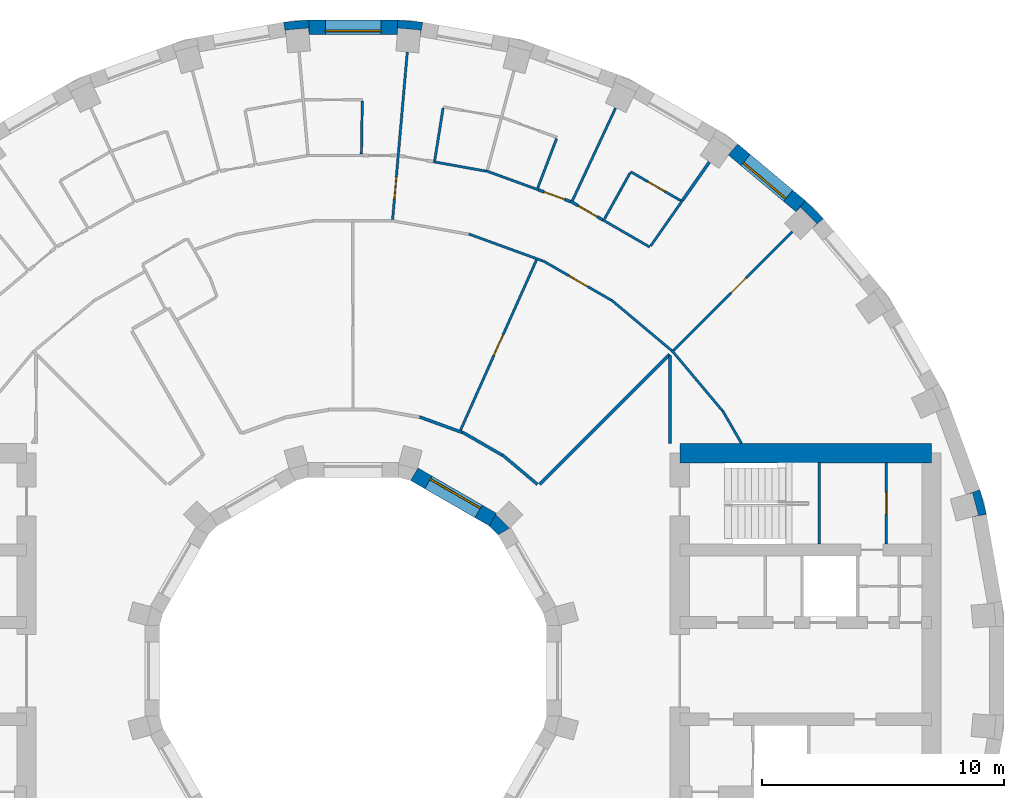
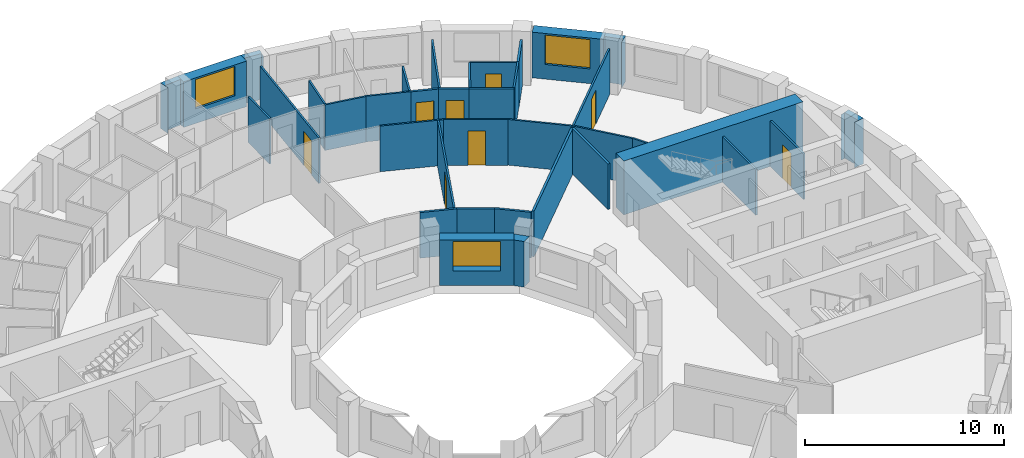
# One storey, part 10 of 12: 37 walls, 8 doors, 3 windows, 11 openings.
"""IFC4 building model written with IfcOpenShell, lengths in metres."""

from ifc_helpers import new_model, si_unit, direction, frame, frame_2d, origin, place, context, subcontext, project, spatial, polyline, rectangle, outline, extrude, material, layer, layer_set, type_object, element, fill, save


model = new_model("IFC4")

# Units and contexts
model_context = context("Model", 3, precision=1e-05, world=origin(), true_north=direction((0.0, 1.0)))
body_context = subcontext(model_context, "Body", "Model", "MODEL_VIEW")
ifc_project = project(units=[si_unit("LENGTHUNIT", "METRE"), si_unit("AREAUNIT", "SQUARE_METRE"), si_unit("VOLUMEUNIT", "CUBIC_METRE"), si_unit("PLANEANGLEUNIT", "RADIAN"), si_unit("MASSUNIT", "GRAM", prefix="KILO")], contexts=[model_context])

# Site, building, storey
site_placement = place(None, origin())
site = spatial("IfcSite", under=ifc_project, at=site_placement, CompositionType="ELEMENT")
building_placement = place(site_placement, origin())
building = spatial("IfcBuilding", under=site, at=building_placement, Name="Saqina Gate Tower", CompositionType="ELEMENT")
storey_placement = place(building_placement, frame((0.0, 0.0, 111.699951171875)))
storey = spatial("IfcBuildingStorey", under=building, at=storey_placement, Name="L31", CompositionType="ELEMENT", Elevation=111.699951171875)

# Walls
ifc_material_1 = material(Name="Brick masonry (buff)", Category="masonry")
wall_type_1 = type_object("IfcWallType", Name="BRICK PIER COPING BUFF", PredefinedType="SOLIDWALL", material=ifc_material_1)
wall_1_placement = place(storey_placement, origin())
element("IfcWall", 1, at=wall_1_placement, inside=storey, type_object=wall_type_1, Name="Pier cap L31 column 2", PredefinedType="SOLIDWALL", context=body_context, shape_type="SweptSolid", body=[
    extrude(outline(polyline([(26.171875, 6.466796875), (25.89892578125, 7.485595703125), (25.335205078125, 7.2802734375), (25.5947265625, 7.349853515625), (25.8408203125, 6.43212890625), (25.5810546875, 6.36279296875), (26.171875, 6.466796875)])), origin(), (0.0, 0.0, 1.0), 2.800048828125),
])
wall_2_placement = place(storey_placement, origin())
element("IfcWall", 2, at=wall_2_placement, inside=storey, type_object=wall_type_1, Name="Pier cap L31 column 5", PredefinedType="SOLIDWALL", context=body_context, shape_type="SweptSolid", body=[
    extrude(outline(polyline([(19.43212890625, 18.686279296875), (18.686279296875, 19.43212890625), (18.30078125, 18.972412109375), (18.49072265625, 19.16259765625), (19.16259765625, 18.49072265625), (18.972412109375, 18.30078125), (19.43212890625, 18.686279296875)])), origin(), (0.0, 0.0, 1.0), 2.800048828125),
])
wall_3_placement = place(storey_placement, origin())
element("IfcWall", 3, at=wall_3_placement, inside=storey, type_object=wall_type_1, Name="Pier cap L31 column 9", PredefinedType="SOLIDWALL", context=body_context, shape_type="SweptSolid", body=[
    extrude(outline(polyline([(2.87451171875, 26.805419921875), (1.823974609375, 26.897216796875), (1.823974609375, 26.29736328125), (1.847412109375, 26.565185546875), (2.793701171875, 26.482421875), (2.770263671875, 26.214599609375), (2.87451171875, 26.805419921875)])), origin(), (0.0, 0.0, 1.0), 2.800048828125),
])
wall_4_placement = place(storey_placement, origin())
element("IfcWall", 4, at=wall_4_placement, inside=storey, type_object=wall_type_1, Name="Pier cap L31 column 10", PredefinedType="SOLIDWALL", context=body_context, shape_type="SweptSolid", body=[
    extrude(outline(polyline([(-2.87451171875, 26.805419921875), (-2.770263671875, 26.214599609375), (-2.793701171875, 26.482421875), (-1.847412109375, 26.565185546875), (-1.823974609375, 26.29736328125), (-1.823974609375, 26.897216796875), (-2.87451171875, 26.805419921875)])), origin(), (0.0, 0.0, 1.0), 2.800048828125),
])

# Wall, opening, door
ifc_material_2 = material(Name="Gypsum board on steel studs", Category="steel")
ifc_layer_1 = layer(ifc_material_2, 0.10009765625)
ifc_layer_set_1 = layer_set([ifc_layer_1], Name="CORE PARTITION")
wall_type_2 = type_object("IfcWallType", Name="CORE PARTITION", PredefinedType="PARTITIONING", material=ifc_layer_set_1)
wall_5_placement = place(storey_placement, frame((22.037109375, 5.25, 0.0), z_axis=(0.0, 0.0, 1.0), x_axis=(0.0, 1.0, 0.0)))
wall_5 = element("IfcWall", 5, at=wall_5_placement, inside=storey, type_object=wall_type_2, Name="L31-CP-E11", PredefinedType="PARTITIONING", context=body_context, shape_type="SweptSolid", body=[
    extrude(rectangle(XDim=3.35009765625, YDim=0.10009765625, at=frame_2d((1.675048828125, 0.0))), origin(), (0.0, 0.0, 1.0), 2.800048828125),
])
opening_1_placement = place(wall_5_placement, frame((1.22509765625, 0.0, 0.0)))
opening_1 = element("IfcOpeningElement", 6, at=opening_1_placement, cuts=wall_5, Name="Opening G09-D98", PredefinedType="OPENING", context=body_context, shape_type="SweptSolid", body=[
    extrude(rectangle(XDim=0.89990234375, YDim=2.10009765625, at=frame_2d((0.449951171875, 1.050048828125))), frame((0.0, 0.06201171875, 0.0), z_axis=(0.0, -1.0, 0.0), x_axis=(1.0, 0.0, 0.0)), (0.0, 0.0, 1.0), 0.1240234375),
])
ifc_material_3 = material(Name="Steel-framed fire door leaf, EI 60", Category="steel")
door_type_1 = type_object("IfcDoorType", Name="SERVICE ROOM DOOR 900", OperationType="SINGLE_SWING_LEFT", PredefinedType="DOOR", material=ifc_material_3)
door_1_placement = place(opening_1_placement, origin())
door_1 = element("IfcDoor", 7, at=door_1_placement, inside=storey, type_object=door_type_1, Name="L31-CD-E09", OperationType="SINGLE_SWING_RIGHT", OverallHeight=2.10009765625, OverallWidth=0.89990234375, PredefinedType="DOOR", context=body_context, shape_type="SweptSolid", body=[
    extrude(rectangle(XDim=0.89990234375, YDim=2.10009765625, at=frame_2d((0.449951171875, 1.050048828125))), frame((0.0, 0.02490234375, 0.0), z_axis=(0.0, -1.0, 0.0), x_axis=(1.0, 0.0, 0.0)), (0.0, 0.0, 1.0), 0.050048828125),
])
fill(opening_1, door_1)

# Wall, opening, window
ifc_material_4 = material(Name="Brick masonry (buff)", Category="masonry")
ifc_layer_2 = layer(ifc_material_4, 0.60009765625)
ifc_layer_set_2 = layer_set([ifc_layer_2], Name="FW-BRICK-BUFF")
wall_type_3 = type_object("IfcWallType", Name="FW-BRICK-BUFF", PredefinedType="SOLIDWALL", material=ifc_layer_set_2)
wall_6_placement = place(storey_placement, frame((18.49365234375, 19.202392578125, 0.0), z_axis=(0.0, 0.0, 1.0), x_axis=(-0.766055462616, 0.642774476932, 0.0)))
wall_6 = element("IfcWall", 8, at=wall_6_placement, inside=storey, type_object=wall_type_3, Name="Facade wall L31 facet 5", PredefinedType="SOLIDWALL", context=body_context, shape_type="SweptSolid", body=[
    extrude(rectangle(XDim=3.647705078125, YDim=0.60009765625, at=frame_2d((1.82373046875, 0.0))), origin(), (0.0, 0.0, 1.0), 2.800048828125),
])
opening_2_placement = place(wall_6_placement, frame((0.673828125, 0.0, 0.89990234375)))
opening_2 = element("IfcOpeningElement", 9, at=opening_2_placement, cuts=wall_6, Name="Opening G09-W03", PredefinedType="OPENING", context=body_context, shape_type="SweptSolid", body=[
    extrude(rectangle(XDim=2.300048828125, YDim=1.800048828125, at=frame_2d((1.14990234375, 0.89990234375))), frame((0.0, 0.31201171875, 0.0), z_axis=(0.0, -1.0, 0.0), x_axis=(1.0, 0.0, 0.0)), (0.0, 0.0, 1.0), 0.6240234375),
])
ifc_material_5 = material(Name="Aluminium glazing", Category="aluminium")
window_type_1 = type_object("IfcWindowType", Name="WN-B", PartitioningType="SINGLE_PANEL", PredefinedType="WINDOW", material=ifc_material_5)
window_1_placement = place(opening_2_placement, origin())
window_1 = element("IfcWindow", 10, at=window_1_placement, inside=storey, type_object=window_type_1, Name="Window L31 facet 5", OverallHeight=1.800048828125, OverallWidth=2.300048828125, PartitioningType="SINGLE_PANEL", PredefinedType="WINDOW", context=body_context, shape_type="SweptSolid", body=[
    extrude(rectangle(XDim=2.300048828125, YDim=1.800048828125, at=frame_2d((1.14990234375, 0.89990234375))), frame((0.0, 0.179931640625, 0.0), z_axis=(0.0, -1.0, 0.0), x_axis=(1.0, 0.0, 0.0)), (0.0, 0.0, 1.0), 0.06005859375),
])
fill(opening_2, window_1)

wall_7_placement = place(storey_placement, frame((1.823974609375, 26.59716796875, 0.0), z_axis=(0.0, 0.0, 1.0), x_axis=(-1.0, 0.0, 0.0)))
wall_7 = element("IfcWall", 11, at=wall_7_placement, inside=storey, type_object=wall_type_3, Name="Facade wall L31 facet 9", PredefinedType="SOLIDWALL", context=body_context, shape_type="SweptSolid", body=[
    extrude(rectangle(XDim=3.64794921875, YDim=0.60009765625, at=frame_2d((1.823974609375, 0.0))), origin(), (0.0, 0.0, 1.0), 2.800048828125),
])
opening_3_placement = place(wall_7_placement, frame((0.673828125, 0.0, 0.89990234375)))
opening_3 = element("IfcOpeningElement", 12, at=opening_3_placement, cuts=wall_7, Name="Opening G09-W07", PredefinedType="OPENING", context=body_context, shape_type="SweptSolid", body=[
    extrude(rectangle(XDim=2.300048828125, YDim=1.800048828125, at=frame_2d((1.14990234375, 0.89990234375))), frame((0.0, 0.31201171875, 0.0), z_axis=(0.0, -1.0, 0.0), x_axis=(1.0, 0.0, 0.0)), (0.0, 0.0, 1.0), 0.6240234375),
])
window_2_placement = place(opening_3_placement, origin())
window_2 = element("IfcWindow", 13, at=window_2_placement, inside=storey, type_object=window_type_1, Name="Window L31 facet 9", OverallHeight=1.800048828125, OverallWidth=2.300048828125, PartitioningType="SINGLE_PANEL", PredefinedType="WINDOW", context=body_context, shape_type="SweptSolid", body=[
    extrude(rectangle(XDim=2.300048828125, YDim=1.800048828125, at=frame_2d((1.14990234375, 0.89990234375))), frame((0.0, 0.179931640625, 0.0), z_axis=(0.0, -1.0, 0.0), x_axis=(1.0, 0.0, 0.0)), (0.0, 0.0, 1.0), 0.06005859375),
])
fill(opening_3, window_2)

ifc_material_6 = material(Name="Glazed ceramic tile", Category="ceramic")
ifc_layer_3 = layer(ifc_material_6, 0.60009765625)
ifc_layer_set_3 = layer_set([ifc_layer_3], Name="IW-TILE")
wall_type_4 = type_object("IfcWallType", Name="IW-TILE", PredefinedType="SOLIDWALL", material=ifc_layer_set_3)
wall_8_placement = place(storey_placement, frame((5.772705078125, 6.251220703125, 0.0), z_axis=(0.0, 0.0, 1.0), x_axis=(-0.86604563398, 0.499964958637, 0.0)))
wall_8 = element("IfcWall", 14, at=wall_8_placement, inside=storey, type_object=wall_type_4, Name="Well wall L31 facet 2", PredefinedType="SOLIDWALL", context=body_context, shape_type="SweptSolid", body=[
    extrude(rectangle(XDim=3.747314453125, YDim=0.60009765625, at=frame_2d((1.87353515625, 0.0))), origin(), (0.0, 0.0, 1.0), 2.800048828125),
])
opening_4_placement = place(wall_8_placement, frame((0.673583984375, 0.0, 0.89990234375)))
opening_4 = element("IfcOpeningElement", 15, at=opening_4_placement, cuts=wall_8, Name="Opening G09-W27", PredefinedType="OPENING", context=body_context, shape_type="SweptSolid", body=[
    extrude(rectangle(XDim=2.39990234375, YDim=1.800048828125, at=frame_2d((1.199951171875, 0.89990234375))), frame((0.0, 0.31201171875, 0.0), z_axis=(0.0, -1.0, 0.0), x_axis=(1.0, 0.0, 0.0)), (0.0, 0.0, 1.0), 0.6240234375),
])
ifc_material_7 = material(Name="Aluminium glazing", Category="aluminium")
window_type_2 = type_object("IfcWindowType", Name="WN-W", PartitioningType="SINGLE_PANEL", PredefinedType="WINDOW", material=ifc_material_7)
window_3_placement = place(opening_4_placement, origin())
window_3 = element("IfcWindow", 16, at=window_3_placement, inside=storey, type_object=window_type_2, Name="Well window L31 facet 2", OverallHeight=1.800048828125, OverallWidth=2.39990234375, PartitioningType="SINGLE_PANEL", PredefinedType="WINDOW", context=body_context, shape_type="SweptSolid", body=[
    extrude(rectangle(XDim=2.39990234375, YDim=1.800048828125, at=frame_2d((1.199951171875, 0.89990234375))), frame((0.0, -0.119873046875, 0.0), z_axis=(0.0, -1.0, 0.0), x_axis=(1.0, 0.0, 0.0)), (0.0, 0.0, 1.0), 0.06005859375),
])
fill(opening_4, window_3)

# Walls
ifc_material_8 = material(Name="Gypsum board on steel studs, 100 mm", Category="steel")
ifc_layer_4 = layer(ifc_material_8, 0.10009765625)
ifc_layer_set_4 = layer_set([ifc_layer_4], Name="PARTITION 100")
wall_type_5 = type_object("IfcWallType", Name="PARTITION 100", PredefinedType="PARTITIONING", material=ifc_layer_set_4)
wall_9_placement = place(storey_placement, frame((15.2685546875, 10.7529296875, 0.0), z_axis=(0.0, 0.0, 1.0), x_axis=(0.499614353746, -0.866247942296, 0.0)))
element("IfcWall", 17, at=wall_9_placement, inside=storey, type_object=wall_type_5, Name="PARTITION PW3-14", PredefinedType="PARTITIONING", context=body_context, shape_type="SweptSolid", body=[
    extrude(rectangle(XDim=1.564208984375, YDim=0.10009765625, at=frame_2d((0.7822265625, 0.0))), origin(), (0.0, 0.0, 1.0), 2.800048828125),
])
for number, where, z_axis, x_axis, name in (
    (18, (13.16943359375, 13.240966796875, 0.0), (0.0, 0.0, 1.0), (0.642806814248, -0.766028328168, 0.0), "PARTITION PW3-22"),
    (19, (10.670166015625, 15.32666015625, 0.0), (0.0, 0.0, 1.0), (0.766028328168, -0.642806814248, 0.0), "PARTITION PW3-27"),
):
    element("IfcWall", number, at=place(storey_placement, frame(where, z_axis=z_axis, x_axis=x_axis)), inside=storey, type_object=wall_type_5, Name=name, PredefinedType="PARTITIONING", context=body_context, shape_type="SweptSolid", body=[
        extrude(rectangle(XDim=3.25537109375, YDim=0.10009765625, at=frame_2d((1.627685546875, 0.0))), origin(), (0.0, 0.0, 1.0), 2.800048828125),
    ])

# Wall, opening, door
wall_10_placement = place(storey_placement, frame((7.845947265625, 16.9462890625, 0.0), z_axis=(0.0, 0.0, 1.0), x_axis=(0.866135643811, -0.499809010043, 0.0)))
wall_10 = element("IfcWall", 20, at=wall_10_placement, inside=storey, type_object=wall_type_5, Name="PARTITION PW3-34", PredefinedType="PARTITIONING", context=body_context, shape_type="SweptSolid", body=[
    extrude(rectangle(XDim=3.255615234375, YDim=0.10009765625, at=frame_2d((1.6279296875, 0.0))), origin(), (0.0, 0.0, 1.0), 2.800048828125),
])
opening_5_placement = place(wall_10_placement, frame((1.228271484375, 0.0, 0.0)))
opening_5 = element("IfcOpeningElement", 21, at=opening_5_placement, cuts=wall_10, Name="Opening G09-D03", PredefinedType="OPENING", context=body_context, shape_type="SweptSolid", body=[
    extrude(rectangle(XDim=0.89990234375, YDim=2.10009765625, at=frame_2d((0.449951171875, 1.050048828125))), frame((0.0, 0.06201171875, 0.0), z_axis=(0.0, -1.0, 0.0), x_axis=(1.0, 0.0, 0.0)), (0.0, 0.0, 1.0), 0.1240234375),
])
ifc_material_9 = material(Name="Timber door leaf, 900 mm", Category="wood")
door_type_2 = type_object("IfcDoorType", Name="DOOR 900 TIMBER", OperationType="SINGLE_SWING_LEFT", PredefinedType="DOOR", material=ifc_material_9)
door_2_placement = place(opening_5_placement, origin())
door_2 = element("IfcDoor", 22, at=door_2_placement, inside=storey, type_object=door_type_2, Name="DOOR G09-D03", OperationType="SINGLE_SWING_RIGHT", OverallHeight=2.10009765625, OverallWidth=0.89990234375, PredefinedType="DOOR", context=body_context, shape_type="SweptSolid", body=[
    extrude(rectangle(XDim=0.89990234375, YDim=2.10009765625, at=frame_2d((0.449951171875, 1.050048828125))), frame((0.0, 0.02490234375, 0.0), z_axis=(0.0, -1.0, 0.0), x_axis=(1.0, 0.0, 0.0)), (0.0, 0.0, 1.0), 0.050048828125),
])
fill(opening_5, door_2)

# Wall
wall_11_placement = place(storey_placement, frame((10.309814453125, 18.639892578125, 0.0), z_axis=(0.0, 0.0, 1.0), x_axis=(0.865856719536, -0.500292055938, 0.0)))
element("IfcWall", 23, at=wall_11_placement, inside=storey, type_object=wall_type_5, Name="PARTITION PW3-35", PredefinedType="PARTITIONING", context=body_context, shape_type="SweptSolid", body=[
    extrude(rectangle(XDim=2.250732421875, YDim=0.10009765625, at=frame_2d((1.12548828125, 0.0))), origin(), (0.0, 0.0, 1.0), 2.800048828125),
])

# Wall, opening, door
wall_12_placement = place(storey_placement, frame((11.470947265625, 20.625, 0.0), z_axis=(0.0, 0.0, 1.0), x_axis=(0.866161784063, -0.499763707994, 0.0)))
wall_12 = element("IfcWall", 24, at=wall_12_placement, inside=storey, type_object=wall_type_5, Name="PARTITION PW3-36", PredefinedType="PARTITIONING", context=body_context, shape_type="SweptSolid", body=[
    extrude(rectangle(XDim=2.390869140625, YDim=0.10009765625, at=frame_2d((1.1953125, 0.0))), origin(), (0.0, 0.0, 1.0), 2.800048828125),
])
opening_6_placement = place(wall_12_placement, frame((0.821533203125, 0.0, 0.0)))
opening_6 = element("IfcOpeningElement", 25, at=opening_6_placement, cuts=wall_12, Name="Opening G09-D02", PredefinedType="OPENING", context=body_context, shape_type="SweptSolid", body=[
    extrude(rectangle(XDim=0.800048828125, YDim=2.10009765625, at=frame_2d((0.39990234375, 1.050048828125))), frame((0.0, 0.06201171875, 0.0), z_axis=(0.0, -1.0, 0.0), x_axis=(1.0, 0.0, 0.0)), (0.0, 0.0, 1.0), 0.1240234375),
])
ifc_material_10 = material(Name="Timber door leaf, 800 mm", Category="wood")
door_type_3 = type_object("IfcDoorType", Name="DOOR 800 TIMBER", OperationType="SINGLE_SWING_LEFT", PredefinedType="DOOR", material=ifc_material_10)
door_3_placement = place(opening_6_placement, origin())
door_3 = element("IfcDoor", 26, at=door_3_placement, inside=storey, type_object=door_type_3, Name="DOOR G09-D02", OperationType="SINGLE_SWING_RIGHT", OverallHeight=2.10009765625, OverallWidth=0.800048828125, PredefinedType="DOOR", context=body_context, shape_type="SweptSolid", body=[
    extrude(rectangle(XDim=0.800048828125, YDim=2.10009765625, at=frame_2d((0.39990234375, 1.050048828125))), frame((0.0, 0.02490234375, 0.0), z_axis=(0.0, -1.0, 0.0), x_axis=(1.0, 0.0, 0.0)), (0.0, 0.0, 1.0), 0.050048828125),
])
fill(opening_6, door_3)

# Walls
wall_13_placement = place(storey_placement, frame((4.7841796875, 18.05126953125, 0.0), z_axis=(0.0, 0.0, 1.0), x_axis=(0.939697033511, -0.34200801922, 0.0)))
element("IfcWall", 27, at=wall_13_placement, inside=storey, type_object=wall_type_5, Name="PARTITION PW3-41", PredefinedType="PARTITIONING", context=body_context, shape_type="SweptSolid", body=[
    extrude(rectangle(XDim=3.255126953125, YDim=0.10009765625, at=frame_2d((1.62744140625, 0.0))), origin(), (0.0, 0.0, 1.0), 2.800048828125),
])
wall_14_placement = place(storey_placement, frame((5.4853515625, 20.667236328125, 0.0), z_axis=(0.0, 0.0, 1.0), x_axis=(0.939734670151, -0.34190459154, 0.0)))
element("IfcWall", 28, at=wall_14_placement, inside=storey, type_object=wall_type_5, Name="PARTITION PW3-42", PredefinedType="PARTITIONING", context=body_context, shape_type="SweptSolid", body=[
    extrude(rectangle(XDim=2.3056640625, YDim=0.10009765625, at=frame_2d((1.15283203125, 0.0))), origin(), (0.0, 0.0, 1.0), 2.800048828125),
])
wall_15_placement = place(storey_placement, frame((3.312744140625, 21.041748046875, 0.0), z_axis=(0.0, 0.0, 1.0), x_axis=(0.984157440959, -0.17729673264, 0.0)))
element("IfcWall", 29, at=wall_15_placement, inside=storey, type_object=wall_type_5, Name="PARTITION PW3-44", PredefinedType="PARTITIONING", context=body_context, shape_type="SweptSolid", body=[
    extrude(rectangle(XDim=2.20458984375, YDim=0.10009765625, at=frame_2d((1.102294921875, 0.0))), origin(), (0.0, 0.0, 1.0), 2.800048828125),
])

# Wall, opening, door
wall_16_placement = place(storey_placement, frame((13.2373046875, 13.2373046875, 0.0), z_axis=(0.0, 0.0, 1.0), x_axis=(0.707106781187, 0.707106781187, 0.0)))
wall_16 = element("IfcWall", 30, at=wall_16_placement, inside=storey, type_object=wall_type_5, Name="PARTITION PW3-78", PredefinedType="PARTITIONING", context=body_context, shape_type="SweptSolid", body=[
    extrude(rectangle(XDim=6.944580078125, YDim=0.10009765625, at=frame_2d((3.47216796875, 0.0))), origin(), (0.0, 0.0, 1.0), 2.800048828125),
])
opening_7_placement = place(wall_16_placement, frame((3.3642578125, 0.0, 0.0)))
opening_7 = element("IfcOpeningElement", 31, at=opening_7_placement, cuts=wall_16, Name="Opening G09-D01", PredefinedType="OPENING", context=body_context, shape_type="SweptSolid", body=[
    extrude(rectangle(XDim=0.89990234375, YDim=2.10009765625, at=frame_2d((0.449951171875, 1.050048828125))), frame((0.0, 0.06201171875, 0.0), z_axis=(0.0, -1.0, 0.0), x_axis=(1.0, 0.0, 0.0)), (0.0, 0.0, 1.0), 0.1240234375),
])
door_4_placement = place(opening_7_placement, frame((0.89990234375, 0.0, 0.0), z_axis=(0.0, 0.0, 1.0), x_axis=(-1.0, 0.0, 0.0)))
door_4 = element("IfcDoor", 32, at=door_4_placement, inside=storey, type_object=door_type_2, Name="DOOR G09-D01", OperationType="SINGLE_SWING_LEFT", OverallHeight=2.10009765625, OverallWidth=0.89990234375, PredefinedType="DOOR", context=body_context, shape_type="SweptSolid", body=[
    extrude(rectangle(XDim=0.89990234375, YDim=2.10009765625, at=frame_2d((0.449951171875, 1.050048828125))), frame((0.0, 0.02490234375, 0.0), z_axis=(0.0, -1.0, 0.0), x_axis=(1.0, 0.0, 0.0)), (0.0, 0.0, 1.0), 0.050048828125),
])
fill(opening_7, door_4)

# Walls
wall_17_placement = place(storey_placement, frame((12.290771484375, 17.552978515625, 0.0), z_axis=(0.0, 0.0, 1.0), x_axis=(0.573582946976, 0.819147485462, 0.0)))
element("IfcWall", 33, at=wall_17_placement, inside=storey, type_object=wall_type_5, Name="PARTITION PW3-84", PredefinedType="PARTITIONING", context=body_context, shape_type="SweptSolid", body=[
    extrude(rectangle(XDim=2.3095703125, YDim=0.10009765625, at=frame_2d((1.15478515625, 0.0))), origin(), (0.0, 0.0, 1.0), 2.800048828125),
])
wall_18_placement = place(storey_placement, frame((10.38330078125, 18.669677734375, 0.0), z_axis=(0.0, 0.0, 1.0), x_axis=(0.486154549708, 0.873872847615, 0.0)))
element("IfcWall", 34, at=wall_18_placement, inside=storey, type_object=wall_type_5, Name="PARTITION PW3-92", PredefinedType="PARTITIONING", context=body_context, shape_type="SweptSolid", body=[
    extrude(rectangle(XDim=2.1875, YDim=0.10009765625, at=frame_2d((1.09375, 0.0))), origin(), (0.0, 0.0, 1.0), 2.800048828125),
])
wall_19_placement = place(storey_placement, frame((9.0615234375, 19.4326171875, 0.0), z_axis=(0.0, 0.0, 1.0), x_axis=(0.422606972268, 0.906313051319, 0.0)))
element("IfcWall", 35, at=wall_19_placement, inside=storey, type_object=wall_type_5, Name="PARTITION PW3-94", PredefinedType="PARTITIONING", context=body_context, shape_type="SweptSolid", body=[
    extrude(rectangle(XDim=4.2236328125, YDim=0.10009765625, at=frame_2d((2.11181640625, 0.0))), origin(), (0.0, 0.0, 1.0), 2.800048828125),
])

# Wall, opening, door
wall_20_placement = place(storey_placement, frame((4.437255859375, 9.945068359375, 0.0), z_axis=(0.0, 0.0, 1.0), x_axis=(0.407452204653, 0.913226533191, 0.0)))
wall_20 = element("IfcWall", 36, at=wall_20_placement, inside=storey, type_object=wall_type_5, Name="PARTITION PW3-95", PredefinedType="PARTITIONING", context=body_context, shape_type="SweptSolid", body=[
    extrude(rectangle(XDim=7.705078125, YDim=0.10009765625, at=frame_2d((3.8525390625, 0.0))), origin(), (0.0, 0.0, 1.0), 2.800048828125),
])
opening_8_placement = place(wall_20_placement, frame((3.395263671875, 0.0, 0.0)))
opening_8 = element("IfcOpeningElement", 37, at=opening_8_placement, cuts=wall_20, Name="Opening G09-D05", PredefinedType="OPENING", context=body_context, shape_type="SweptSolid", body=[
    extrude(rectangle(XDim=0.89990234375, YDim=2.10009765625, at=frame_2d((0.449951171875, 1.050048828125))), frame((0.0, 0.06201171875, 0.0), z_axis=(0.0, -1.0, 0.0), x_axis=(1.0, 0.0, 0.0)), (0.0, 0.0, 1.0), 0.1240234375),
])
door_5_placement = place(opening_8_placement, frame((0.89990234375, 0.0, 0.0), z_axis=(0.0, 0.0, 1.0), x_axis=(-1.0, 0.0, 0.0)))
door_5 = element("IfcDoor", 38, at=door_5_placement, inside=storey, type_object=door_type_2, Name="DOOR G09-D05", OperationType="SINGLE_SWING_RIGHT", OverallHeight=2.10009765625, OverallWidth=0.89990234375, PredefinedType="DOOR", context=body_context, shape_type="SweptSolid", body=[
    extrude(rectangle(XDim=0.89990234375, YDim=2.10009765625, at=frame_2d((0.449951171875, 1.050048828125))), frame((0.0, 0.02490234375, 0.0), z_axis=(0.0, -1.0, 0.0), x_axis=(1.0, 0.0, 0.0)), (0.0, 0.0, 1.0), 0.050048828125),
])
fill(opening_8, door_5)

# Walls
wall_21_placement = place(storey_placement, frame((7.627197265625, 19.954345703125, 0.0), z_axis=(0.0, 0.0, 1.0), x_axis=(0.356937039246, 0.934128444067, 0.0)))
element("IfcWall", 39, at=wall_21_placement, inside=storey, type_object=wall_type_5, Name="PARTITION PW3-97", PredefinedType="PARTITIONING", context=body_context, shape_type="SweptSolid", body=[
    extrude(rectangle(XDim=2.18798828125, YDim=0.10009765625, at=frame_2d((1.093994140625, 0.0))), origin(), (0.0, 0.0, 1.0), 2.800048828125),
])
wall_22_placement = place(storey_placement, frame((3.371826171875, 21.0947265625, 0.0), z_axis=(0.0, 0.0, 1.0), x_axis=(0.157825077305, 0.987467085514, 0.0)))
element("IfcWall", 40, at=wall_22_placement, inside=storey, type_object=wall_type_5, Name="PARTITION PW3-102", PredefinedType="PARTITIONING", context=body_context, shape_type="SweptSolid", body=[
    extrude(rectangle(XDim=2.187255859375, YDim=0.10009765625, at=frame_2d((1.09375, 0.0))), origin(), (0.0, 0.0, 1.0), 2.800048828125),
])

# Wall, opening, door
wall_23_placement = place(storey_placement, frame((1.631103515625, 18.64892578125, 0.0), z_axis=(0.0, 0.0, 1.0), x_axis=(0.087251550035, 0.996186311398, 0.0)))
wall_23 = element("IfcWall", 41, at=wall_23_placement, inside=storey, type_object=wall_type_5, Name="PARTITION PW3-104", PredefinedType="PARTITIONING", context=body_context, shape_type="SweptSolid", body=[
    extrude(rectangle(XDim=6.94482421875, YDim=0.10009765625, at=frame_2d((3.472412109375, 0.0))), origin(), (0.0, 0.0, 1.0), 2.800048828125),
])
opening_9_placement = place(wall_23_placement, frame((0.854248046875, 0.0, 0.0)))
opening_9 = element("IfcOpeningElement", 42, at=opening_9_placement, cuts=wall_23, Name="Opening G09-D10", PredefinedType="OPENING", context=body_context, shape_type="SweptSolid", body=[
    extrude(rectangle(XDim=0.89990234375, YDim=2.10009765625, at=frame_2d((0.449951171875, 1.050048828125))), frame((0.0, 0.06201171875, 0.0), z_axis=(0.0, -1.0, 0.0), x_axis=(1.0, 0.0, 0.0)), (0.0, 0.0, 1.0), 0.1240234375),
])
door_6_placement = place(opening_9_placement, origin())
door_6 = element("IfcDoor", 43, at=door_6_placement, inside=storey, type_object=door_type_2, Name="DOOR G09-D10", OperationType="SINGLE_SWING_LEFT", OverallHeight=2.10009765625, OverallWidth=0.89990234375, PredefinedType="DOOR", context=body_context, shape_type="SweptSolid", body=[
    extrude(rectangle(XDim=0.89990234375, YDim=2.10009765625, at=frame_2d((0.449951171875, 1.050048828125))), frame((0.0, 0.02490234375, 0.0), z_axis=(0.0, -1.0, 0.0), x_axis=(1.0, 0.0, 0.0)), (0.0, 0.0, 1.0), 0.050048828125),
])
fill(opening_9, door_6)

# Walls
wall_24_placement = place(storey_placement, frame((0.342041015625, 21.359375, 0.0), z_axis=(0.0, 0.0, 1.0), x_axis=(0.016067560631, 0.999870908415, 0.0)))
element("IfcWall", 44, at=wall_24_placement, inside=storey, type_object=wall_type_5, Name="PARTITION PW3-107", PredefinedType="PARTITIONING", context=body_context, shape_type="SweptSolid", body=[
    extrude(rectangle(XDim=2.18798828125, YDim=0.10009765625, at=frame_2d((1.093994140625, 0.0))), origin(), (0.0, 0.0, 1.0), 2.800048828125),
])
ifc_material_11 = material(Name="Gypsum board on steel studs, 125 mm, fire rated", Category="steel")
ifc_layer_5 = layer(ifc_material_11, 0.125)
ifc_layer_set_5 = layer_set([ifc_layer_5], Name="PARTITION EI 30 125")
wall_type_6 = type_object("IfcWallType", Name="PARTITION EI 30 125", PredefinedType="PARTITIONING", material=ifc_layer_set_5)
wall_25_placement = place(storey_placement, frame((6.16943359375, 8.921630859375, 0.0), z_axis=(0.0, 0.0, 1.0), x_axis=(0.766048022013, -0.642783344503, 0.0)))
element("IfcWall", 45, at=wall_25_placement, inside=storey, type_object=wall_type_6, Name="PARTITION PW1-10", PredefinedType="PARTITIONING", context=body_context, shape_type="SweptSolid", body=[
    extrude(rectangle(XDim=1.8916015625, YDim=0.125, at=frame_2d((0.94580078125, 0.0))), origin(), (0.0, 0.0, 1.0), 2.800048828125),
])
wall_26_placement = place(storey_placement, frame((4.527099609375, 9.857666015625, 0.0), z_axis=(0.0, 0.0, 1.0), x_axis=(0.86592101019, -0.500180771434, 0.0)))
element("IfcWall", 46, at=wall_26_placement, inside=storey, type_object=wall_type_6, Name="PARTITION PW1-13", PredefinedType="PARTITIONING", context=body_context, shape_type="SweptSolid", body=[
    extrude(rectangle(XDim=1.890380859375, YDim=0.125, at=frame_2d((0.9453125, 0.0))), origin(), (0.0, 0.0, 1.0), 2.800048828125),
])

# Wall, opening, door
wall_27_placement = place(storey_placement, frame((8.97998046875, 19.40771484375, 0.0), z_axis=(0.0, 0.0, 1.0), x_axis=(0.866013487713, -0.500020638674, 0.0)))
wall_27 = element("IfcWall", 47, at=wall_27_placement, inside=storey, type_object=wall_type_6, Name="PARTITION PW1-14", PredefinedType="PARTITIONING", context=body_context, shape_type="SweptSolid", body=[
    extrude(rectangle(XDim=1.53564453125, YDim=0.125, at=frame_2d((0.767822265625, 0.0))), origin(), (0.0, 0.0, 1.0), 2.800048828125),
])
opening_10_placement = place(wall_27_placement, frame((0.37451171875, 0.0, 0.0)))
opening_10 = element("IfcOpeningElement", 48, at=opening_10_placement, cuts=wall_27, Name="Opening G09-D04", PredefinedType="OPENING", context=body_context, shape_type="SweptSolid", body=[
    extrude(rectangle(XDim=0.89990234375, YDim=2.10009765625, at=frame_2d((0.449951171875, 1.050048828125))), frame((0.0, 0.074462890625, 0.0), z_axis=(0.0, -1.0, 0.0), x_axis=(1.0, 0.0, 0.0)), (0.0, 0.0, 1.0), 0.14892578125),
])
ifc_material_12 = material(Name="Fire door leaf EI 30, 900 mm")
door_type_4 = type_object("IfcDoorType", Name="DOOR 900 EI 30", OperationType="SINGLE_SWING_LEFT", PredefinedType="DOOR", material=ifc_material_12)
door_7_placement = place(opening_10_placement, frame((0.89990234375, 0.0, 0.0), z_axis=(0.0, 0.0, 1.0), x_axis=(-1.0, 0.0, 0.0)))
door_7 = element("IfcDoor", 49, at=door_7_placement, inside=storey, type_object=door_type_4, Name="DOOR G09-D04", OperationType="SINGLE_SWING_RIGHT", OverallHeight=2.10009765625, OverallWidth=0.89990234375, PredefinedType="DOOR", context=body_context, shape_type="SweptSolid", body=[
    extrude(rectangle(XDim=0.89990234375, YDim=2.10009765625, at=frame_2d((0.449951171875, 1.050048828125))), frame((0.0, 0.02490234375, 0.0), z_axis=(0.0, -1.0, 0.0), x_axis=(1.0, 0.0, 0.0)), (0.0, 0.0, 1.0), 0.050048828125),
])
fill(opening_10, door_7)

# Wall
wall_28_placement = place(storey_placement, frame((2.74609375, 10.49169921875, 0.0), z_axis=(0.0, 0.0, 1.0), x_axis=(0.939744390825, -0.341877872803, 0.0)))
element("IfcWall", 50, at=wall_28_placement, inside=storey, type_object=wall_type_6, Name="PARTITION PW1-17", PredefinedType="PARTITIONING", context=body_context, shape_type="SweptSolid", body=[
    extrude(rectangle(XDim=1.890380859375, YDim=0.125, at=frame_2d((0.9453125, 0.0))), origin(), (0.0, 0.0, 1.0), 2.800048828125),
])

# Wall, opening, door
wall_29_placement = place(storey_placement, frame((7.652099609375, 19.87890625, 0.0), z_axis=(0.0, 0.0, 1.0), x_axis=(0.939813657692, -0.341687413896, 0.0)))
wall_29 = element("IfcWall", 51, at=wall_29_placement, inside=storey, type_object=wall_type_6, Name="PARTITION PW1-18", PredefinedType="PARTITIONING", context=body_context, shape_type="SweptSolid", body=[
    extrude(rectangle(XDim=1.408935546875, YDim=0.125, at=frame_2d((0.70458984375, 0.0))), origin(), (0.0, 0.0, 1.0), 2.800048828125),
])
opening_11_placement = place(wall_29_placement, frame((0.2607421875, 0.0, 0.0)))
opening_11 = element("IfcOpeningElement", 52, at=opening_11_placement, cuts=wall_29, Name="Opening G09-D06", PredefinedType="OPENING", context=body_context, shape_type="SweptSolid", body=[
    extrude(rectangle(XDim=0.89990234375, YDim=2.10009765625, at=frame_2d((0.449951171875, 1.050048828125))), frame((0.0, 0.074462890625, 0.0), z_axis=(0.0, -1.0, 0.0), x_axis=(1.0, 0.0, 0.0)), (0.0, 0.0, 1.0), 0.14892578125),
])
door_8_placement = place(opening_11_placement, frame((0.89990234375, 0.0, 0.0), z_axis=(0.0, 0.0, 1.0), x_axis=(-1.0, 0.0, 0.0)))
door_8 = element("IfcDoor", 53, at=door_8_placement, inside=storey, type_object=door_type_4, Name="DOOR G09-D06", OperationType="SINGLE_SWING_LEFT", OverallHeight=2.10009765625, OverallWidth=0.89990234375, PredefinedType="DOOR", context=body_context, shape_type="SweptSolid", body=[
    extrude(rectangle(XDim=0.89990234375, YDim=2.10009765625, at=frame_2d((0.449951171875, 1.050048828125))), frame((0.0, 0.02490234375, 0.0), z_axis=(0.0, -1.0, 0.0), x_axis=(1.0, 0.0, 0.0)), (0.0, 0.0, 1.0), 0.050048828125),
])
fill(opening_11, door_8)

# Walls
wall_30_placement = place(storey_placement, frame((7.710205078125, 7.710205078125, 0.0), z_axis=(0.0, 0.0, 1.0), x_axis=(0.707106781187, 0.707106781187, 0.0)))
element("IfcWall", 54, at=wall_30_placement, inside=storey, type_object=wall_type_6, Name="PARTITION PW1-43", PredefinedType="PARTITIONING", context=body_context, shape_type="SweptSolid", body=[
    extrude(rectangle(XDim=7.586669921875, YDim=0.125, at=frame_2d((3.79345703125, 0.0))), origin(), (0.0, 0.0, 1.0), 2.800048828125),
])
wall_31_placement = place(storey_placement, frame((13.61376953125, 19.446044921875, 0.0), z_axis=(0.0, 0.0, 1.0), x_axis=(0.573470846205, 0.819225969164, 0.0)))
element("IfcWall", 55, at=wall_31_placement, inside=storey, type_object=wall_type_6, Name="PARTITION PW1-45", PredefinedType="PARTITIONING", context=body_context, shape_type="SweptSolid", body=[
    extrude(rectangle(XDim=1.92724609375, YDim=0.125, at=frame_2d((0.963623046875, 0.0))), origin(), (0.0, 0.0, 1.0), 2.800048828125),
])
wall_32_placement = place(storey_placement, frame((13.10009765625, 9.39794921875, 0.0), z_axis=(0.0, 0.0, 1.0), x_axis=(0.0, 1.0, 0.0)))
element("IfcWall", 56, at=wall_32_placement, inside=storey, type_object=wall_type_6, Name="PARTITION PW1-50", PredefinedType="PARTITIONING", context=body_context, shape_type="SweptSolid", body=[
    extrude(rectangle(XDim=3.638671875, YDim=0.125, at=frame_2d((1.8193359375, 0.0))), origin(), (0.0, 0.0, 1.0), 2.800048828125),
])
ifc_material_13 = material(Name="Autoclaved aerated concrete block", Category="concrete")
ifc_layer_6 = layer(ifc_material_13, 0.10009765625)
ifc_layer_set_6 = layer_set([ifc_layer_6], Name="STAIR ENCLOSURE WALL")
wall_type_7 = type_object("IfcWallType", Name="STAIR ENCLOSURE WALL", PredefinedType="PARTITIONING", material=ifc_layer_set_6)
wall_33_placement = place(storey_placement, frame((19.27001953125, 5.25, 0.0), z_axis=(0.0, 0.0, 1.0), x_axis=(0.0, 1.0, 0.0)))
element("IfcWall", 57, at=wall_33_placement, inside=storey, type_object=wall_type_7, Name="L31-CP-E10", PredefinedType="PARTITIONING", context=body_context, shape_type="SweptSolid", body=[
    extrude(rectangle(XDim=3.35009765625, YDim=0.10009765625, at=frame_2d((1.675048828125, 0.0))), origin(), (0.0, 0.0, 1.0), 2.800048828125),
])
ifc_material_14 = material(Name="Concrete C70/85", Category="concrete")
ifc_layer_7 = layer(ifc_material_14, 0.800048828125)
ifc_layer_set_7 = layer_set([ifc_layer_7], Name="Concrete C70/85")
wall_type_8 = type_object("IfcWallType", Name="STR-CORE WALL-B-O", PredefinedType="SHEAR", material=ifc_layer_set_7)
wall_34_placement = place(storey_placement, frame((13.5, 9.0, 0.0), z_axis=(0.0, 0.0, 1.0), x_axis=(1.0, 0.0, 0.0)))
element("IfcWall", 58, at=wall_34_placement, inside=storey, type_object=wall_type_8, Name="CORE WALL L31 E-NE", PredefinedType="SHEAR", context=body_context, shape_type="SweptSolid", body=[
    extrude(rectangle(XDim=10.39990234375, YDim=0.800048828125, at=frame_2d((5.199951171875, 0.0))), origin(), (0.0, 0.0, 1.0), 3.300048828125),
])
ifc_material_15 = material(Name="Glazed ceramic tile", Category="ceramic")
wall_type_9 = type_object("IfcWallType", Name="TILE PIER COPING", PredefinedType="SOLIDWALL", material=ifc_material_15)
wall_35_placement = place(storey_placement, origin())
element("IfcWall", 59, at=wall_35_placement, inside=storey, type_object=wall_type_9, Name="Well pier cap L31 column 2", PredefinedType="SOLIDWALL", context=body_context, shape_type="SweptSolid", body=[
    extrude(outline(polyline([(5.891845703125, 6.45751953125), (5.622802734375, 5.991455078125), (5.991455078125, 5.622802734375), (6.45751953125, 5.891845703125), (5.891845703125, 6.45751953125)])), origin(), (0.0, 0.0, 1.0), 2.800048828125),
])

save(model, "model.ifc")
